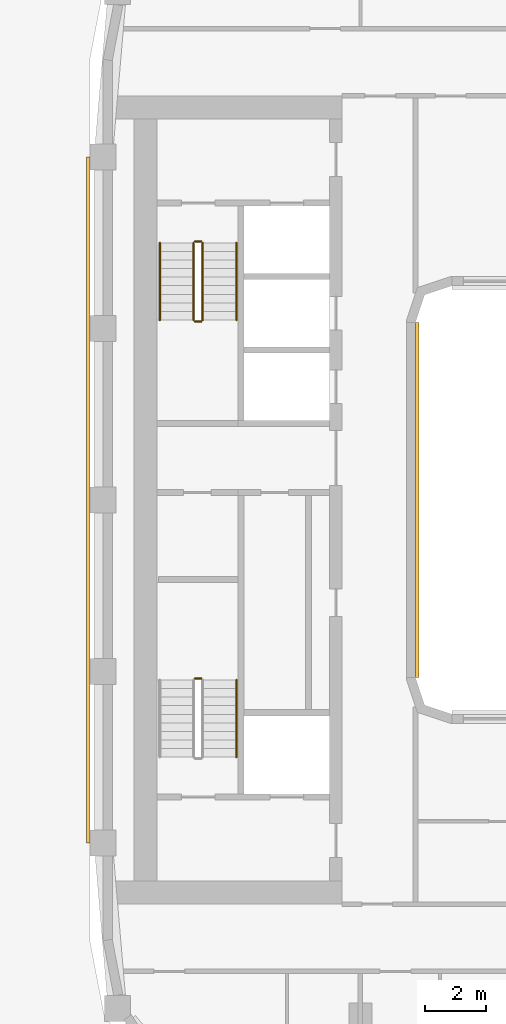
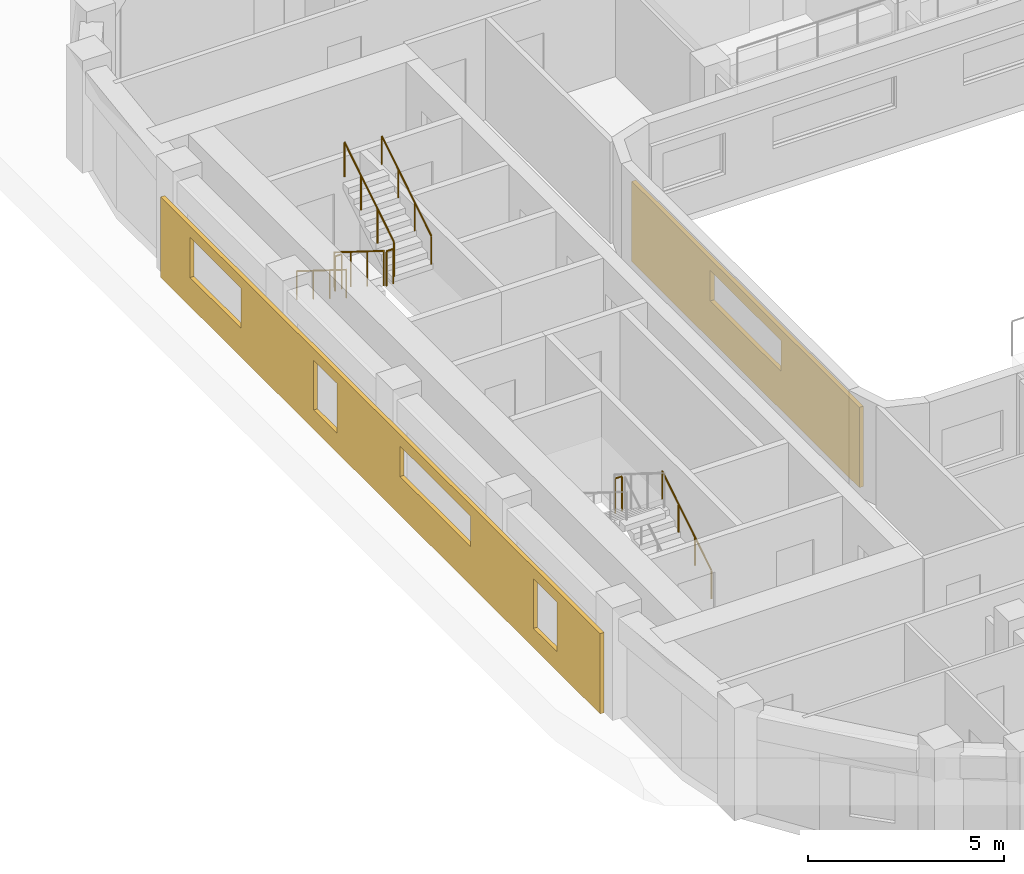
# One storey, part 12 of 16: 8 railings, 2 coverings.
"""IFC4 building model written with IfcOpenShell, lengths in metres."""

import ifcopenshell
import ifcopenshell.guid

model = None  # the IFC model being written
_history = None  # IfcOwnerHistory: only IFC2X3 demands one
_inside = {}  # id of a spatial element -> (the spatial element, [elements in it])
_under = {}  # id of a project, library or spatial element -> (it, [spatial elements below it])
_declared = {}  # id of a project -> (the project, [libraries it declares])
_typed = {}  # id of a type object -> (the type object, [elements of that type])
_made_of = {}  # id of a material, layer set ... -> (it, [elements and type objects made of it])


def new_model(schema):
    """Start an empty IFC model of exactly this schema.

    Asked for "IFC4X3", IfcOpenShell would pick the latest addendum, in which some entities
    have other attributes; the version numbers below select the first issue.
    IFC2X3 requires an IfcOwnerHistory on every rooted entity: one is made here for all.
    """
    global model, _history
    if schema == "IFC4X3":
        model = ifcopenshell.file(schema_version=(4, 3, 0, 0))
    else:
        model = ifcopenshell.file(schema=schema)
    _inside.clear()
    _under.clear()
    _declared.clear()
    _typed.clear()
    _made_of.clear()
    _history = None
    if model.schema == "IFC2X3":
        org = make("IfcOrganization", Name="unknown")
        user = make(
            "IfcPersonAndOrganization",
            ThePerson=make("IfcPerson", FamilyName="unknown"),
            TheOrganization=org,
        )
        app = make(
            "IfcApplication",
            ApplicationDeveloper=org,
            Version="unknown",
            ApplicationFullName="unknown",
            ApplicationIdentifier="unknown",
        )
        _history = make(
            "IfcOwnerHistory",
            OwningUser=user,
            OwningApplication=app,
            ChangeAction="ADDED",
            CreationDate=0,
        )
    return model


def make(cls, **values):
    """One entity of the class cls with the attributes given. An attribute that is None is left unset."""
    return model.create_entity(
        cls, **{name: value for name, value in values.items() if value is not None}
    )


def rooted(cls, **values):
    """An entity with a GlobalId (a new one), such as an element, a storey or a relation."""
    return make(cls, GlobalId=ifcopenshell.guid.new(), OwnerHistory=_history, **values)


def si_unit(unit_type, name, prefix=None):
    """IfcSIUnit, for example si_unit("LENGTHUNIT", "METRE", prefix="MILLI")."""
    return make("IfcSIUnit", UnitType=unit_type, Prefix=prefix, Name=name)


def assignment(units):
    """IfcUnitAssignment: the units of a project."""
    return None if units is None else make("IfcUnitAssignment", Units=units)


def point(xyz):
    """IfcCartesianPoint."""
    return None if xyz is None else make("IfcCartesianPoint", Coordinates=xyz)


def direction(xyz):
    """IfcDirection."""
    return None if xyz is None else make("IfcDirection", DirectionRatios=xyz)


def frame(location, z_axis=None, x_axis=None):
    """IfcAxis2Placement3D, a coordinate frame: its origin and axes. An axis left out is left unset."""
    return make(
        "IfcAxis2Placement3D",
        Location=point(location),
        Axis=direction(z_axis),
        RefDirection=direction(x_axis),
    )


def frame_2d(location, x_axis=None):
    """IfcAxis2Placement2D, a coordinate frame in the plane: its origin and x axis."""
    return make(
        "IfcAxis2Placement2D", Location=point(location), RefDirection=direction(x_axis)
    )


def origin():
    """The frame at (0, 0, 0) with its axes left unset."""
    return frame((0.0, 0.0, 0.0))


def origin_2d():
    """The frame at (0, 0) in the plane with its x axis left unset."""
    return frame_2d((0.0, 0.0))


def place(relative_to, where):
    """IfcLocalPlacement: puts the frame where relative to a parent placement (None: the world)."""
    return make(
        "IfcLocalPlacement", PlacementRelTo=relative_to, RelativePlacement=where
    )


def context(
    kind, dimensions, precision=None, world=None, true_north=None, identifier=None
):
    """IfcGeometricRepresentationContext, for example the 3D "Model" context."""
    return make(
        "IfcGeometricRepresentationContext",
        ContextIdentifier=identifier,
        ContextType=kind,
        CoordinateSpaceDimension=dimensions,
        Precision=precision,
        WorldCoordinateSystem=world,
        TrueNorth=true_north,
    )


def subcontext(parent, identifier, kind, view, scale=None):
    """IfcGeometricRepresentationSubContext, for example "Body" below "Model"."""
    return make(
        "IfcGeometricRepresentationSubContext",
        ContextIdentifier=identifier,
        ContextType=kind,
        ParentContext=parent,
        TargetScale=scale,
        TargetView=view,
    )


def project(units=None, contexts=None):
    """IfcProject with its units and contexts."""
    return rooted(
        "IfcProject",
        Name="project",
        RepresentationContexts=contexts,
        UnitsInContext=assignment(units),
    )


def spatial(cls, under=None, at=None, **own):
    """A site, building, storey or space (cls), placed at a placement, below another one or the project."""
    s = rooted(cls, ObjectPlacement=at, **own)
    if under is not None:
        _under.setdefault(under.id(), (under, []))[1].append(s)
    return s


def polyline(points):
    """IfcPolyline through the points."""
    return make("IfcPolyline", Points=[point(p) for p in points])


def profile(cls, at=None, kind="AREA", **sizes):
    """A parametric profile (cls). Its sizes go by their IFC names, for example OverallWidth=200.0."""
    return make(cls, ProfileType=kind, Position=at, **sizes)


def circle(**sizes):
    """IfcCircleProfileDef."""
    return profile("IfcCircleProfileDef", **sizes)


def outline(outer, holes=None, kind="AREA"):
    """IfcArbitraryClosedProfileDef: a profile drawn as a closed curve; with holes, ...WithVoids."""
    if holes is None:
        return make("IfcArbitraryClosedProfileDef", ProfileType=kind, OuterCurve=outer)
    return make(
        "IfcArbitraryProfileDefWithVoids",
        ProfileType=kind,
        OuterCurve=outer,
        InnerCurves=holes,
    )


def extrude(swept, where, along, depth):
    """IfcExtrudedAreaSolid: the profile swept, set in the frame where, extruded along a direction by depth."""
    return make(
        "IfcExtrudedAreaSolid",
        SweptArea=swept,
        Position=where,
        ExtrudedDirection=direction(along),
        Depth=depth,
    )


def shape(context_of_items, identifier, shape_type, items):
    """IfcShapeRepresentation: the items that make up one representation, for example the "Body"."""
    return make(
        "IfcShapeRepresentation",
        ContextOfItems=context_of_items,
        RepresentationIdentifier=identifier,
        RepresentationType=shape_type,
        Items=items,
    )


def material(Name=None, Category=None):
    """IfcMaterial."""
    return make("IfcMaterial", Name=Name, Category=Category)


def layer(
    of_material, thickness, ventilated=None, Name=None, Category=None, Priority=None
):
    """IfcMaterialLayer: one layer of a wall or slab, of a material (None: an air gap)."""
    return make(
        "IfcMaterialLayer",
        Material=of_material,
        LayerThickness=thickness,
        IsVentilated=ventilated,
        Name=Name,
        Category=Category,
        Priority=Priority,
    )


def layer_set(layers, Name=None):
    """IfcMaterialLayerSet."""
    return make("IfcMaterialLayerSet", MaterialLayers=layers, LayerSetName=Name)


def made_of(thing, what):
    """Note that an element or type object is made of a material, layer set ...; save() writes the relation."""
    if what is not None:
        _made_of.setdefault(what.id(), (what, []))[1].append(thing)
    return thing


def type_object(cls, material=None, **own):
    """A type object (cls), such as IfcWallType, which elements share."""
    return made_of(rooted(cls, **own), material)


def element(
    cls,
    number,
    at=None,
    inside=None,
    cuts=None,
    type_object=None,
    material=None,
    context=None,
    identifier="Body",
    shape_type=None,
    held_by="IfcProductDefinitionShape",
    body=None,
    shapes=None,
    **own,
):
    """One element of the class cls, such as IfcWall. Its Tag is "e" and its number.

    at: its placement. inside: the storey or other place that contains it. cuts: it is an
    opening in that element (IfcRelVoidsElement). A single representation is given by context,
    identifier, shape_type and body (its items); several are given by shapes. held_by: the class
    of the entity that holds the representations. save() writes the other relations.
    """
    e = rooted(cls, Tag="e%d" % number, ObjectPlacement=at, **own)
    if body is not None:
        shapes = [shape(context, identifier, shape_type, body)]
    if shapes is not None:
        e.Representation = make(held_by, Representations=shapes)
    if inside is not None:
        _inside.setdefault(inside.id(), (inside, []))[1].append(e)
    if cuts is not None:
        rooted(
            "IfcRelVoidsElement", RelatingBuildingElement=cuts, RelatedOpeningElement=e
        )
    if type_object is not None:
        _typed.setdefault(type_object.id(), (type_object, []))[1].append(e)
    return made_of(e, material)


def aggregate(whole, parts):
    """IfcRelAggregates: a whole, such as a stair, and the parts it consists of."""
    return rooted("IfcRelAggregates", RelatingObject=whole, RelatedObjects=parts)


def save(model, path):
    """Write the relations noted so far, then the file.

    IfcRelAggregates (storeys below a building ...), IfcRelContainedInSpatialStructure (elements
    in a storey), IfcRelDefinesByType, IfcRelAssociatesMaterial and IfcRelDeclares: one each for
    every whole, place, type object, material and project.
    """
    for whole, parts in _under.values():
        aggregate(whole, parts)
    for where, things in _inside.values():
        rooted(
            "IfcRelContainedInSpatialStructure",
            RelatedElements=things,
            RelatingStructure=where,
        )
    for kind, things in _typed.values():
        rooted("IfcRelDefinesByType", RelatedObjects=things, RelatingType=kind)
    for what, things in _made_of.values():
        rooted("IfcRelAssociatesMaterial", RelatedObjects=things, RelatingMaterial=what)
    for by, libraries in _declared.values():
        rooted("IfcRelDeclares", RelatingContext=by, RelatedDefinitions=libraries)
    model.write(path)


model = new_model("IFC4")

# Units and contexts
model_context = context("Model", 3, precision=1e-05, world=origin(), true_north=direction((0.0, 1.0)))
body_context = subcontext(model_context, "Body", "Model", "MODEL_VIEW")
ifc_project = project(units=[si_unit("LENGTHUNIT", "METRE"), si_unit("AREAUNIT", "SQUARE_METRE"), si_unit("VOLUMEUNIT", "CUBIC_METRE"), si_unit("PLANEANGLEUNIT", "RADIAN"), si_unit("MASSUNIT", "GRAM", prefix="KILO")], contexts=[model_context])

# Site, building, storey
site_placement = place(None, origin())
site = spatial("IfcSite", under=ifc_project, at=site_placement, CompositionType="ELEMENT")
building_placement = place(site_placement, origin())
building = spatial("IfcBuilding", under=site, at=building_placement, Name="Kiln Ring Residences", CompositionType="ELEMENT")
storey_placement = place(building_placement, frame((0.0, 0.0, 227.39990234375)))
storey = spatial("IfcBuildingStorey", under=building, at=storey_placement, Name="L59", CompositionType="ELEMENT", Elevation=227.39990234375)

# Railings
ifc_material_1 = material(Name="Stainless steel", Category="steel")
railing_type_1 = type_object("IfcRailingType", Name="CORE-STAIR-GUARD", PredefinedType="GUARDRAIL", material=ifc_material_1)
railing_1_placement = place(storey_placement, frame((-22.25, 8.39990234375, 0.175048828125)))
element("IfcRailing", 1, at=railing_1_placement, inside=storey, type_object=railing_type_1, Name="L59 W-STN stair guard 1", PredefinedType="GUARDRAIL", context=body_context, shape_type="SweptSolid", body=[
    extrude(circle(Radius=0.02392578125, at=origin_2d()), frame((0.0, 0.0, 1.076171875), z_axis=(0.0, -0.848007534815, 0.529984170421), x_axis=(1.0, 0.0, 0.0)), (0.0, 0.0, 1.0), 2.9716796875),
    extrude(circle(Radius=0.02099609375, at=origin_2d()), origin(), (0.0, 0.0, 1.0), 1.052001953125),
    extrude(circle(Radius=0.02099609375, at=origin_2d()), frame((0.0, -0.840087890625, 0.52490234375)), (0.0, 0.0, 1.0), 1.052001953125),
    extrude(circle(Radius=0.02099609375, at=origin_2d()), frame((0.0, -1.679931640625, 1.050048828125)), (0.0, 0.0, 1.0), 1.052001953125),
    extrude(circle(Radius=0.02099609375, at=origin_2d()), frame((0.0, -2.52001953125, 1.574951171875)), (0.0, 0.0, 1.0), 1.052001953125),
])
railing_2_placement = place(storey_placement, frame((-22.199951171875, 5.830078125, 1.75)))
element("IfcRailing", 2, at=railing_2_placement, inside=storey, type_object=railing_type_1, Name="L59 W-STN stair guard 2", PredefinedType="GUARDRAIL", context=body_context, shape_type="SweptSolid", body=[
    extrude(circle(Radius=0.02392578125, at=origin_2d()), frame((0.0, 0.0, 1.076171875), z_axis=(1.0, 0.0, 0.0), x_axis=(0.0, 1.0, 0.0)), (0.0, 0.0, 1.0), 0.199951171875),
    extrude(circle(Radius=0.02099609375, at=origin_2d()), origin(), (0.0, 0.0, 1.0), 1.052001953125),
    extrude(circle(Radius=0.02099609375, at=origin_2d()), frame((0.199951171875, 0.0, 0.0)), (0.0, 0.0, 1.0), 1.052001953125),
])
railing_3_placement = place(storey_placement, frame((-21.949951171875, 5.8798828125, 1.925048828125)))
element("IfcRailing", 3, at=railing_3_placement, inside=storey, type_object=railing_type_1, Name="L59 W-STN stair guard 3", PredefinedType="GUARDRAIL", context=body_context, shape_type="SweptSolid", body=[
    extrude(circle(Radius=0.02392578125, at=origin_2d()), frame((0.0, 0.0, 1.076171875), z_axis=(0.0, 0.848007534815, 0.529984170421), x_axis=(-1.0, 0.0, 0.0)), (0.0, 0.0, 1.0), 2.9716796875),
    extrude(circle(Radius=0.02099609375, at=origin_2d()), origin(), (0.0, 0.0, 1.0), 1.052001953125),
    extrude(circle(Radius=0.02099609375, at=origin_2d()), frame((0.0, 0.840087890625, 0.52490234375)), (0.0, 0.0, 1.0), 1.052001953125),
    extrude(circle(Radius=0.02099609375, at=origin_2d()), frame((0.0, 1.679931640625, 1.050048828125)), (0.0, 0.0, 1.0), 1.052001953125),
    extrude(circle(Radius=0.02099609375, at=origin_2d()), frame((0.0, 2.52001953125, 1.574951171875)), (0.0, 0.0, 1.0), 1.052001953125),
])
railing_4_placement = place(storey_placement, frame((-22.199951171875, 8.449951171875, 0.0)))
element("IfcRailing", 4, at=railing_4_placement, inside=storey, type_object=railing_type_1, Name="L59 W-STN stair guard 4", PredefinedType="GUARDRAIL", context=body_context, shape_type="SweptSolid", body=[
    extrude(circle(Radius=0.02392578125, at=origin_2d()), frame((0.0, 0.0, 1.076171875), z_axis=(1.0, 0.0, 0.0), x_axis=(0.0, 1.0, 0.0)), (0.0, 0.0, 1.0), 0.199951171875),
    extrude(circle(Radius=0.02099609375, at=origin_2d()), origin(), (0.0, 0.0, 1.0), 1.052001953125),
    extrude(circle(Radius=0.02099609375, at=origin_2d()), frame((0.199951171875, 0.0, 0.0)), (0.0, 0.0, 1.0), 1.052001953125),
])
railing_5_placement = place(storey_placement, frame((-22.0, -5.830078125, 1.75)))
element("IfcRailing", 5, at=railing_5_placement, inside=storey, type_object=railing_type_1, Name="L59 W-STS stair guard 2", PredefinedType="GUARDRAIL", context=body_context, shape_type="SweptSolid", body=[
    extrude(circle(Radius=0.02392578125, at=origin_2d()), frame((0.0, 0.0, 1.076171875), z_axis=(-1.0, 0.0, 0.0), x_axis=(0.0, -1.0, 0.0)), (0.0, 0.0, 1.0), 0.199951171875),
    extrude(circle(Radius=0.02099609375, at=origin_2d()), origin(), (0.0, 0.0, 1.0), 1.052001953125),
    extrude(circle(Radius=0.02099609375, at=origin_2d()), frame((-0.199951171875, 0.0, 0.0)), (0.0, 0.0, 1.0), 1.052001953125),
])
ifc_material_2 = material(Name="Stainless steel", Category="steel")
railing_type_2 = type_object("IfcRailingType", Name="CORE-STAIR-HANDRAIL", PredefinedType="HANDRAIL", material=ifc_material_2)
railing_6_placement = place(storey_placement, frame((-23.35009765625, 8.39990234375, 0.175048828125)))
element("IfcRailing", 6, at=railing_6_placement, inside=storey, type_object=railing_type_2, Name="L59 W-STN stair handrail 1", PredefinedType="HANDRAIL", context=body_context, shape_type="SweptSolid", body=[
    extrude(circle(Radius=0.02392578125, at=origin_2d()), frame((0.0, 0.0, 0.8759765625), z_axis=(0.0, -0.848007534815, 0.529984170421), x_axis=(1.0, 0.0, 0.0)), (0.0, 0.0, 1.0), 2.9716796875),
    extrude(circle(Radius=0.02099609375, at=origin_2d()), origin(), (0.0, 0.0, 1.0), 0.851806640625),
    extrude(circle(Radius=0.02099609375, at=origin_2d()), frame((0.0, -0.840087890625, 0.52490234375)), (0.0, 0.0, 1.0), 0.851806640625),
    extrude(circle(Radius=0.02099609375, at=origin_2d()), frame((0.0, -1.679931640625, 1.050048828125)), (0.0, 0.0, 1.0), 0.851806640625),
    extrude(circle(Radius=0.02099609375, at=origin_2d()), frame((0.0, -2.52001953125, 1.574951171875)), (0.0, 0.0, 1.0), 0.851806640625),
])
for number, where, name in (
    (7, (-20.85009765625, 5.8798828125, 1.925048828125), "L59 W-STN stair handrail 2"),
    (8, (-20.85009765625, -8.39990234375, 0.175048828125), "L59 W-STS stair handrail 1"),
):
    element("IfcRailing", number, at=place(storey_placement, frame(where)), inside=storey, type_object=railing_type_2, Name=name, PredefinedType="HANDRAIL", context=body_context, shape_type="SweptSolid", body=[
        extrude(circle(Radius=0.02392578125, at=origin_2d()), frame((0.0, 0.0, 0.8759765625), z_axis=(0.0, 0.848007534815, 0.529984170421), x_axis=(-1.0, 0.0, 0.0)), (0.0, 0.0, 1.0), 2.9716796875),
        extrude(circle(Radius=0.02099609375, at=origin_2d()), origin(), (0.0, 0.0, 1.0), 0.851806640625),
        extrude(circle(Radius=0.02099609375, at=origin_2d()), frame((0.0, 0.840087890625, 0.52490234375)), (0.0, 0.0, 1.0), 0.851806640625),
        extrude(circle(Radius=0.02099609375, at=origin_2d()), frame((0.0, 1.679931640625, 1.050048828125)), (0.0, 0.0, 1.0), 0.851806640625),
        extrude(circle(Radius=0.02099609375, at=origin_2d()), frame((0.0, 2.52001953125, 1.574951171875)), (0.0, 0.0, 1.0), 0.851806640625),
    ])

# Coverings
ifc_material_3 = material(Name="Brick masonry, dark clay brick", Category="masonry")
ifc_layer = layer(ifc_material_3, 0.1201171875)
ifc_layer_set = layer_set([ifc_layer], Name="RAINSCREEN PANEL 120")
covering_type = type_object("IfcCoveringType", Name="RAINSCREEN PANEL 120", PredefinedType="CLADDING", material=ifc_layer_set)
covering_1_placement = place(storey_placement, frame((-25.68505859375, 11.199951171875, 0.0), z_axis=(0.0, 0.0, 1.0), x_axis=(0.0, -1.0, 0.0)))
element("IfcCovering", 9, at=covering_1_placement, inside=storey, type_object=covering_type, Name="RAINSCREEN L59", PredefinedType="CLADDING", context=body_context, shape_type="SweptSolid", body=[
    extrude(outline(polyline([(0.0, 0.0), (22.39990234375, 0.0), (22.39990234375, 2.5), (0.0, 2.5), (0.0, 0.0)]), holes=[polyline([(9.0, 0.60009765625), (9.0, 2.150146484375), (7.800048828125, 2.150146484375), (7.800048828125, 0.60009765625), (9.0, 0.60009765625)]), polyline([(20.199951171875, 0.60009765625), (20.199951171875, 2.150146484375), (19.0, 2.150146484375), (19.0, 0.60009765625), (20.199951171875, 0.60009765625)]), polyline([(4.10009765625, 0.900146484375), (4.10009765625, 2.150146484375), (1.5, 2.150146484375), (1.5, 0.900146484375), (4.10009765625, 0.900146484375)]), polyline([(15.800048828125, 1.2001953125), (15.800048828125, 2.150146484375), (12.199951171875, 2.150146484375), (12.199951171875, 1.2001953125), (15.800048828125, 1.2001953125)])]), frame((0.0, 0.06005859375, 0.0), z_axis=(0.0, -1.0, 0.0), x_axis=(1.0, 0.0, 0.0)), (0.0, 0.0, 1.0), 0.1201171875),
])
covering_2_placement = place(storey_placement, frame((-14.93994140625, -5.800048828125, 0.0), z_axis=(0.0, 0.0, 1.0), x_axis=(0.0, 1.0, 0.0)))
element("IfcCovering", 10, at=covering_2_placement, inside=storey, type_object=covering_type, Name="RAINSCREEN L59", PredefinedType="CLADDING", context=body_context, shape_type="SweptSolid", body=[
    extrude(outline(polyline([(0.0, 0.0), (11.60009765625, 0.0), (11.60009765625, 2.5), (0.0, 2.5), (0.0, 0.0)]), holes=[polyline([(4.0, 2.150146484375), (4.0, 1.2001953125), (7.60009765625, 1.2001953125), (7.60009765625, 2.150146484375), (4.0, 2.150146484375)])]), frame((0.0, 0.06005859375, 0.0), z_axis=(0.0, -1.0, 0.0), x_axis=(1.0, 0.0, 0.0)), (0.0, 0.0, 1.0), 0.1201171875),
])

save(model, "model.ifc")
